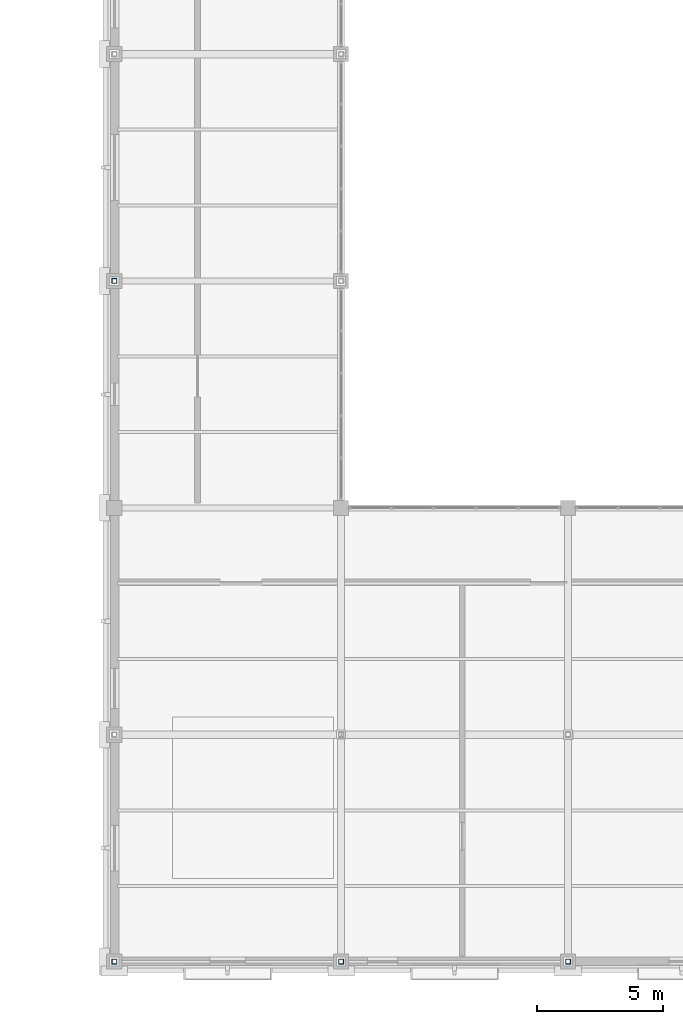
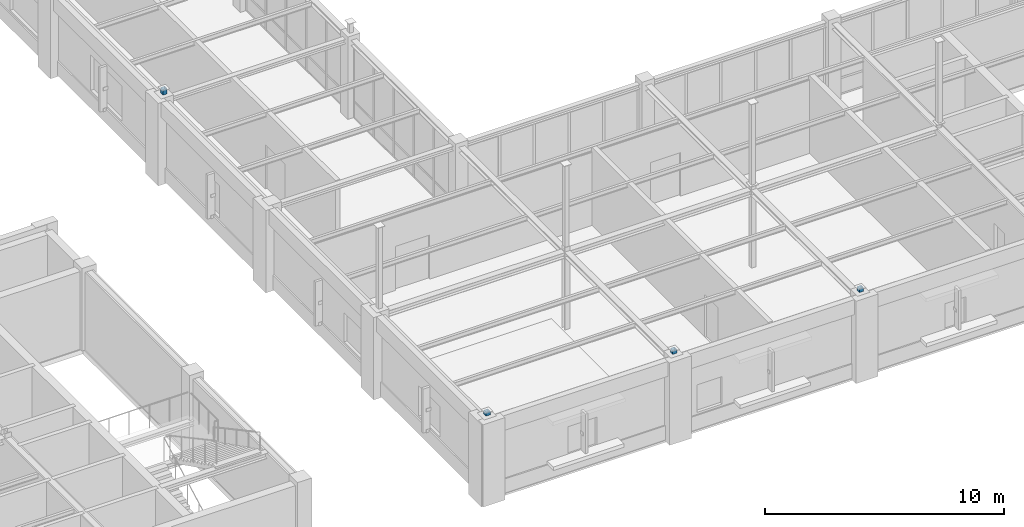
# One storey, part 65 of 97: 4 members.
"""IFC4 building model written with IfcOpenShell, lengths in metres."""

from ifc_helpers import new_model, si_unit, direction, frame, origin, origin_2d, place, context, subcontext, project, spatial, hollow_rectangle, extrude, material, material_profile, profile_set, type_object, element, save


model = new_model("IFC4")

# Units and contexts
model_context = context("Model", 3, precision=1e-05, world=origin(), true_north=direction((0.0, 1.0)))
body_context = subcontext(model_context, "Body", "Model", "MODEL_VIEW")
ifc_project = project(units=[si_unit("LENGTHUNIT", "METRE"), si_unit("AREAUNIT", "SQUARE_METRE"), si_unit("VOLUMEUNIT", "CUBIC_METRE"), si_unit("PLANEANGLEUNIT", "RADIAN"), si_unit("MASSUNIT", "GRAM", prefix="KILO")], contexts=[model_context])

# Site, building, storey
site_placement = place(None, origin())
site = spatial("IfcSite", under=ifc_project, at=site_placement, CompositionType="ELEMENT")
building_placement = place(site_placement, origin())
building = spatial("IfcBuilding", under=site, at=building_placement, Name="Lykobir Media Centre", CompositionType="ELEMENT")
storey_placement = place(building_placement, frame((0.0, 0.0, 23.39990234375)))
storey = spatial("IfcBuildingStorey", under=building, at=storey_placement, Name="L05", CompositionType="ELEMENT", Elevation=23.39990234375)

# Members
ifc_material = material(Name="Steel S355", Category="steel")
ifc_material_profile = material_profile(ifc_material, hollow_rectangle(XDim=0.199951171875, YDim=0.199951171875, WallThickness=0.010009765625, at=origin_2d()), Name="SHS 200x200x10")
ifc_profile_set = profile_set([ifc_material_profile], Name="Steel S355")
member_type = type_object("IfcMemberType", Name="TC-SHS200", PredefinedType="CHORD", material=ifc_profile_set)
for number, where, z_axis, x_axis, name in (
    (1, (90.0, 0.0, 4.2001953125), (0.0, 0.0, 1.0), (1.0, 0.0, 0.0), "Truss chord MEM2-L05-0900-0000-0276-0900-0000-0009"),
    (2, (99.0, 0.0, 4.2001953125), (0.0, 0.0, 1.0), (1.0, 0.0, 0.0), "Truss chord MEM2-L05-0990-0000-0276-0990-0000-0011"),
    (3, (108.0, 0.0, 4.2001953125), (0.0, 0.0, 1.0), (1.0, 0.0, 0.0), "Truss chord MEM2-L05-1080-0000-0276-1080-0000-0013"),
):
    element("IfcMember", number, at=place(storey_placement, frame(where, z_axis=z_axis, x_axis=x_axis)), inside=storey, type_object=member_type, Name=name, PredefinedType="CHORD", context=body_context, shape_type="SweptSolid", body=[
        extrude(hollow_rectangle(XDim=0.199951171875, YDim=0.199951171875, WallThickness=0.010009765625, at=origin_2d()), origin(), (0.0, 0.0, 1.0), 0.198974609375),
    ])
member_placement = place(storey_placement, frame((90.0, 27.0, 4.2001953125), z_axis=(0.0, 0.0, 1.0), x_axis=(1.0, 0.0, 0.0)))
element("IfcMember", 4, at=member_placement, inside=storey, type_object=member_type, Name="Truss chord MEM2-L05-0900-0270-0276-0900-0270-0019", PredefinedType="CHORD", context=body_context, shape_type="SweptSolid", body=[
    extrude(hollow_rectangle(XDim=0.199951171875, YDim=0.199951171875, WallThickness=0.010009765625, at=origin_2d()), origin(), (0.0, 0.0, 1.0), 0.275146484375),
])

save(model, "model.ifc")
